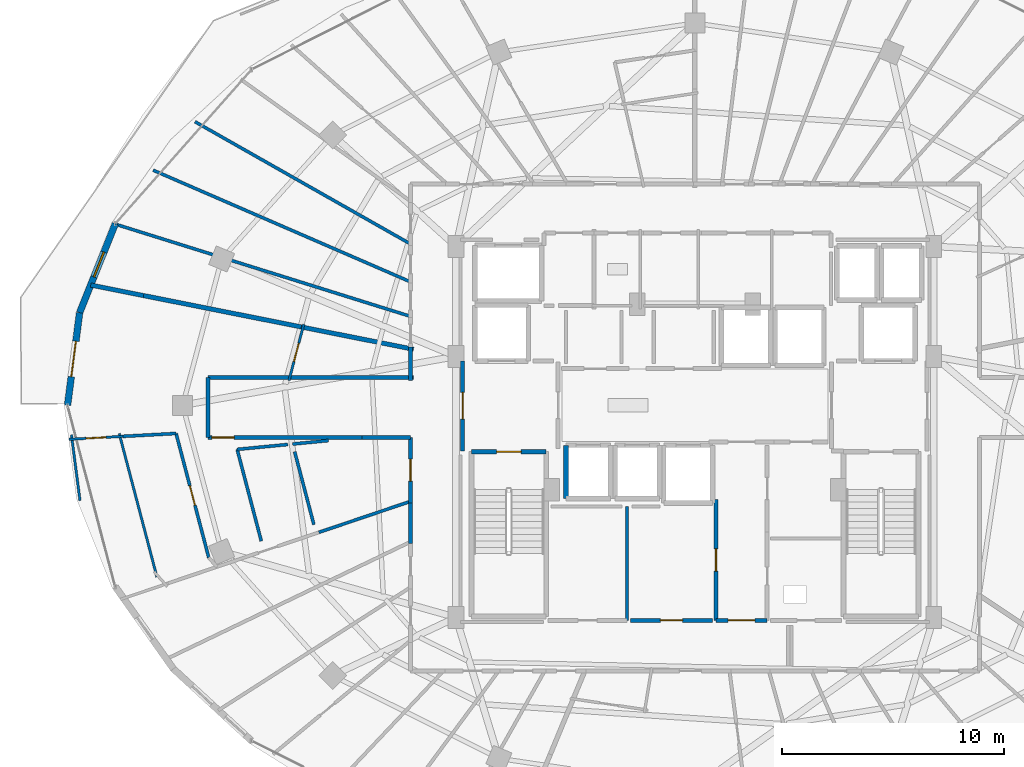
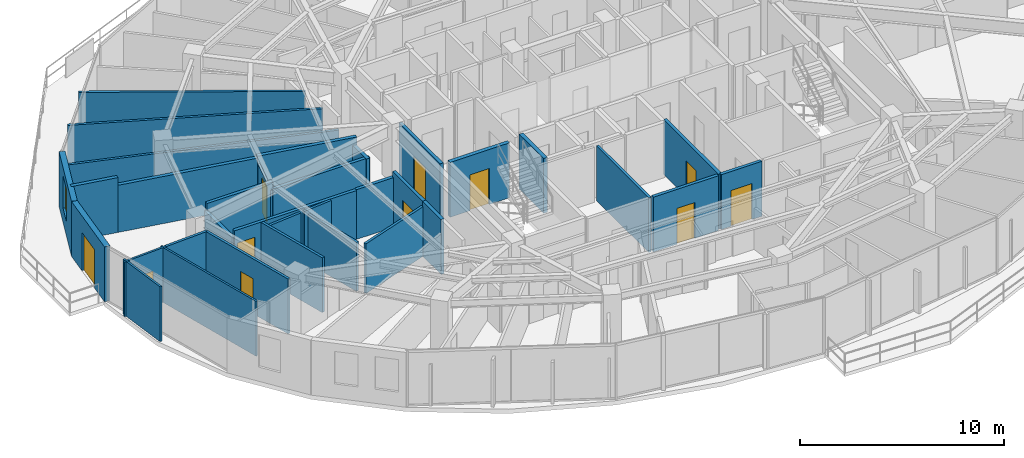
# One storey, part 25 of 34: 34 walls, 11 doors, 1 window, 12 openings.
"""IFC4 building model written with IfcOpenShell, lengths in metres."""

from ifc_helpers import new_model, si_unit, direction, frame, frame_2d, origin, place, context, subcontext, project, spatial, rectangle, extrude, material, layer, layer_set, type_object, element, fill, save


model = new_model("IFC4")

# Units and contexts
model_context = context("Model", 3, precision=1e-05, world=origin(), true_north=direction((0.0, 1.0)))
body_context = subcontext(model_context, "Body", "Model", "MODEL_VIEW")
ifc_project = project(units=[si_unit("LENGTHUNIT", "METRE"), si_unit("AREAUNIT", "SQUARE_METRE"), si_unit("VOLUMEUNIT", "CUBIC_METRE"), si_unit("PLANEANGLEUNIT", "RADIAN"), si_unit("MASSUNIT", "GRAM", prefix="KILO")], contexts=[model_context])

# Site, building, storey
site_placement = place(None, origin())
site = spatial("IfcSite", under=ifc_project, at=site_placement, CompositionType="ELEMENT")
building_placement = place(site_placement, origin())
building = spatial("IfcBuilding", under=site, at=building_placement, Name="Vorneva Point Tower", CompositionType="ELEMENT")
storey_placement = place(building_placement, frame((0.0, 0.0, 214.300048828125)))
storey = spatial("IfcBuildingStorey", under=building, at=storey_placement, Name="L58", CompositionType="ELEMENT", Elevation=214.300048828125)

# Wall, opening, window
ifc_material_1 = material(Name="Precast concrete B50 (C40/50)", Category="concrete")
ifc_layer_1 = layer(ifc_material_1, 0.300048828125)
ifc_layer_set_1 = layer_set([ifc_layer_1], Name="Precast concrete B50 (C40/50)")
wall_type_1 = type_object("IfcWallType", Name="WL-EXT-300", PredefinedType="STANDARD", material=ifc_layer_set_1)
wall_1_placement = place(storey_placement, frame((11.9189453125, 34.17041015625, 0.0), z_axis=(0.0, 0.0, 1.0), x_axis=(-0.372268409848, -0.928125116043, 0.0)))
wall_1 = element("IfcWall", 1, at=wall_1_placement, inside=storey, type_object=wall_type_1, Name="L58 Pale-Metal Facade Spandrel Wall 08.1", PredefinedType="STANDARD", context=body_context, shape_type="SweptSolid", body=[
    extrude(rectangle(XDim=4.315185546875, YDim=0.300048828125, at=frame_2d((2.15771484375, 0.0))), origin(), (0.0, 0.0, 1.0), 3.2900390625),
])
opening_1_placement = place(wall_1_placement, frame((1.38037109375, 0.0, 0.85009765625)))
opening_1 = element("IfcOpeningElement", 2, at=opening_1_placement, cuts=wall_1, Name="Opening W-04", PredefinedType="OPENING", context=body_context, shape_type="SweptSolid", body=[
    extrude(rectangle(XDim=1.199951171875, YDim=1.949951171875, at=frame_2d((0.60009765625, 0.97509765625))), frame((0.0, 0.1650390625, 0.0), z_axis=(0.0, -1.0, 0.0), x_axis=(1.0, 0.0, 0.0)), (0.0, 0.0, 1.0), 0.329833984375),
])
ifc_material_2 = material(Name="Double low-e laminated glass IGU", Category="glass")
window_type = type_object("IfcWindowType", Name="WN-RES-1200", PartitioningType="SINGLE_PANEL", PredefinedType="WINDOW", material=ifc_material_2)
window_placement = place(opening_1_placement, origin())
window = element("IfcWindow", 3, at=window_placement, inside=storey, type_object=window_type, Name="L58 Dwelling Vision Window 01", OverallHeight=1.949951171875, OverallWidth=1.199951171875, PartitioningType="SINGLE_PANEL", PredefinedType="WINDOW", context=body_context, shape_type="SweptSolid", body=[
    extrude(rectangle(XDim=1.199951171875, YDim=1.949951171875, at=frame_2d((0.60009765625, 0.97509765625))), frame((0.0, 0.030029296875, 0.0), z_axis=(0.0, -1.0, 0.0), x_axis=(1.0, 0.0, 0.0)), (0.0, 0.0, 1.0), 0.06005859375),
])
fill(opening_1, window)

# Wall, opening, door
wall_2_placement = place(storey_placement, frame((10.3125, 30.165283203125, 0.0), z_axis=(0.0, 0.0, 1.0), x_axis=(-0.129147853268, -0.991625348605, 0.0)))
wall_2 = element("IfcWall", 4, at=wall_2_placement, inside=storey, type_object=wall_type_1, Name="L58 Pale-Metal Facade Spandrel Wall 08.2", PredefinedType="STANDARD", context=body_context, shape_type="SweptSolid", body=[
    extrude(rectangle(XDim=4.200439453125, YDim=0.300048828125, at=frame_2d((2.10009765625, 0.0))), origin(), (0.0, 0.0, 1.0), 3.2900390625),
])
opening_2_placement = place(wall_2_placement, frame((1.30029296875, 0.0, 0.0)))
opening_2 = element("IfcOpeningElement", 5, at=opening_2_placement, cuts=wall_2, Name="Opening BD-01", PredefinedType="OPENING", context=body_context, shape_type="SweptSolid", body=[
    extrude(rectangle(XDim=1.60009765625, YDim=2.300048828125, at=frame_2d((0.800048828125, 1.14990234375))), frame((0.0, 0.1650390625, 0.0), z_axis=(0.0, -1.0, 0.0), x_axis=(1.0, 0.0, 0.0)), (0.0, 0.0, 1.0), 0.329833984375),
])
ifc_material_3 = material(Name="Pale anodised aluminium", Category="aluminium")
door_type_1 = type_object("IfcDoorType", Name="DR-BAL-1600", OperationType="SLIDING_TO_LEFT", PredefinedType="DOOR", material=ifc_material_3)
door_1_placement = place(opening_2_placement, origin())
door_1 = element("IfcDoor", 6, at=door_1_placement, inside=storey, type_object=door_type_1, Name="L58 Balcony Terrace Access Door 08", OperationType="SLIDING_TO_LEFT", OverallHeight=2.300048828125, OverallWidth=1.60009765625, PredefinedType="DOOR", context=body_context, shape_type="SweptSolid", body=[
    extrude(rectangle(XDim=1.60009765625, YDim=2.300048828125, at=frame_2d((0.800048828125, 1.14990234375))), frame((0.0, 0.02490234375, 0.0), z_axis=(0.0, -1.0, 0.0), x_axis=(1.0, 0.0, 0.0)), (0.0, 0.0, 1.0), 0.050048828125),
])
fill(opening_2, door_1)

ifc_material_4 = material(Name="Fire-rated acoustic gypsum stud partition", Category="gypsum")
ifc_layer_2 = layer(ifc_material_4, 0.110107421875)
ifc_layer_set_2 = layer_set([ifc_layer_2], Name="Fire-rated acoustic gypsum stud partition")
wall_type_2 = type_object("IfcWallType", Name="WL-PART-110", PredefinedType="PARTITIONING", material=ifc_layer_set_2)
wall_3_placement = place(storey_placement, frame((19.7333984375, 27.114501953125, 0.0), z_axis=(0.0, 0.0, 1.0), x_axis=(0.254424362052, 0.967092676011, 0.0)))
wall_3 = element("IfcWall", 7, at=wall_3_placement, inside=storey, type_object=wall_type_2, Name="L58 Interior Partition 131", PredefinedType="PARTITIONING", context=body_context, shape_type="SweptSolid", body=[
    extrude(rectangle(XDim=2.61474609375, YDim=0.110107421875, at=frame_2d((1.307373046875, 0.0))), origin(), (0.0, 0.0, 1.0), 2.48193359375),
])
opening_3_placement = place(wall_3_placement, frame((0.88232421875, 0.0, 0.0)))
opening_3 = element("IfcOpeningElement", 8, at=opening_3_placement, cuts=wall_3, Name="Opening ID-02", PredefinedType="OPENING", context=body_context, shape_type="SweptSolid", body=[
    extrude(rectangle(XDim=0.85009765625, YDim=2.10009765625, at=frame_2d((0.425048828125, 1.050048828125))), frame((0.0, 0.06982421875, 0.0), z_axis=(0.0, -1.0, 0.0), x_axis=(1.0, 0.0, 0.0)), (0.0, 0.0, 1.0), 0.139892578125),
])
ifc_material_5 = material(Name="Engineered oak fire-rated door leaf", Category="wood")
door_type_2 = type_object("IfcDoorType", Name="DR-BATH-850", OperationType="NOTDEFINED", PredefinedType="DOOR", material=ifc_material_5)
door_2_placement = place(opening_3_placement, origin())
door_2 = element("IfcDoor", 9, at=door_2_placement, inside=storey, type_object=door_type_2, Name="L58 Door Living and Dining Room L58-03 / Bathroom L58-03", OperationType="SINGLE_SWING_LEFT", OverallHeight=2.10009765625, OverallWidth=0.85009765625, PredefinedType="DOOR", context=body_context, shape_type="SweptSolid", body=[
    extrude(rectangle(XDim=0.85009765625, YDim=2.10009765625, at=frame_2d((0.425048828125, 1.050048828125))), frame((0.0, 0.02490234375, 0.0), z_axis=(0.0, -1.0, 0.0), x_axis=(1.0, 0.0, 0.0)), (0.0, 0.0, 1.0), 0.050048828125),
])
fill(opening_3, door_2)

# Wall
wall_4_placement = place(storey_placement, frame((9.94384765625, 24.6728515625, 0.0), z_axis=(0.0, 0.0, 1.0), x_axis=(0.129053207858, -0.991637670493, 0.0)))
element("IfcWall", 10, at=wall_4_placement, inside=storey, type_object=wall_type_2, Name="L58 Interior Partition 132", PredefinedType="PARTITIONING", context=body_context, shape_type="SweptSolid", body=[
    extrude(rectangle(XDim=2.992919921875, YDim=0.110107421875, at=frame_2d((1.49658203125, 0.0))), origin(), (0.0, 0.0, 1.0), 3.2900390625),
])

# Wall, opening, door
wall_5_placement = place(storey_placement, frame((9.830078125, 24.46728515625, 0.0), z_axis=(0.0, 0.0, 1.0), x_axis=(0.998510664793, 0.054556872108, 0.0)))
wall_5 = element("IfcWall", 11, at=wall_5_placement, inside=storey, type_object=wall_type_2, Name="L58 Interior Partition 133", PredefinedType="PARTITIONING", context=body_context, shape_type="SweptSolid", body=[
    extrude(rectangle(XDim=2.443359375, YDim=0.110107421875, at=frame_2d((1.2216796875, 0.0))), origin(), (0.0, 0.0, 1.0), 3.2900390625),
])
opening_4_placement = place(wall_5_placement, frame((0.771484375, 0.0, 0.0)))
opening_4 = element("IfcOpeningElement", 12, at=opening_4_placement, cuts=wall_5, Name="Opening ID-01", PredefinedType="OPENING", context=body_context, shape_type="SweptSolid", body=[
    extrude(rectangle(XDim=0.89990234375, YDim=2.10009765625, at=frame_2d((0.449951171875, 1.050048828125))), frame((0.0, 0.06982421875, 0.0), z_axis=(0.0, -1.0, 0.0), x_axis=(1.0, 0.0, 0.0)), (0.0, 0.0, 1.0), 0.139892578125),
])
door_type_3 = type_object("IfcDoorType", Name="DR-ROOM-900", OperationType="NOTDEFINED", PredefinedType="DOOR", material=ifc_material_5)
door_3_placement = place(opening_4_placement, origin())
door_3 = element("IfcDoor", 13, at=door_3_placement, inside=storey, type_object=door_type_3, Name="L58 Door Living and Dining Room L58-03 / Kitchen L58-03", OperationType="SINGLE_SWING_LEFT", OverallHeight=2.10009765625, OverallWidth=0.89990234375, PredefinedType="DOOR", context=body_context, shape_type="SweptSolid", body=[
    extrude(rectangle(XDim=0.89990234375, YDim=2.10009765625, at=frame_2d((0.449951171875, 1.050048828125))), frame((0.0, 0.02490234375, 0.0), z_axis=(0.0, -1.0, 0.0), x_axis=(1.0, 0.0, 0.0)), (0.0, 0.0, 1.0), 0.050048828125),
])
fill(opening_4, door_3)

# Walls
wall_6_placement = place(storey_placement, frame((13.79248046875, 18.2705078125, 0.0), z_axis=(0.0, 0.0, 1.0), x_axis=(-0.254286331735, 0.967128978727, 0.0)))
element("IfcWall", 14, at=wall_6_placement, inside=storey, type_object=wall_type_2, Name="L58 Interior Partition 140", PredefinedType="PARTITIONING", context=body_context, shape_type="SweptSolid", body=[
    extrude(rectangle(XDim=6.677490234375, YDim=0.110107421875, at=frame_2d((3.3388671875, 0.0))), origin(), (0.0, 0.0, 1.0), 3.2900390625),
])
ifc_layer_3 = layer(ifc_material_4, 0.139892578125)
ifc_layer_set_3 = layer_set([ifc_layer_3], Name="Fire-rated acoustic gypsum stud partition")
wall_type_3 = type_object("IfcWallType", Name="WL-PART-140", PredefinedType="PARTITIONING", material=ifc_layer_set_3)
wall_7_placement = place(storey_placement, frame((34.949951171875, 16.320068359375, 0.0), z_axis=(0.0, 0.0, 1.0), x_axis=(0.0, 1.0, 0.0)))
element("IfcWall", 15, at=wall_7_placement, inside=storey, type_object=wall_type_3, Name="L58 Interior Partition 031", PredefinedType="PARTITIONING", context=body_context, shape_type="SweptSolid", body=[
    extrude(rectangle(XDim=5.1298828125, YDim=0.139892578125, at=frame_2d((2.56494140625, 0.0))), origin(), (0.0, 0.0, 1.0), 3.2900390625),
])
wall_8_placement = place(storey_placement, frame((15.5048828125, 38.758056640625, 0.0), z_axis=(0.0, 0.0, 1.0), x_axis=(0.86982387552, -0.49336236741, 0.0)))
element("IfcWall", 16, at=wall_8_placement, inside=storey, type_object=wall_type_3, Name="L58 Interior Partition 123", PredefinedType="PARTITIONING", context=body_context, shape_type="SweptSolid", body=[
    extrude(rectangle(XDim=11.14599609375, YDim=0.139892578125, at=frame_2d((5.572998046875, 0.0))), origin(), (0.0, 0.0, 1.0), 2.823974609375),
])
wall_9_placement = place(storey_placement, frame((13.6220703125, 36.577880859375, 0.0), z_axis=(0.0, 0.0, 1.0), x_axis=(0.917357672996, -0.398063939331, 0.0)))
element("IfcWall", 17, at=wall_9_placement, inside=storey, type_object=wall_type_3, Name="L58 Interior Partition 124", PredefinedType="PARTITIONING", context=body_context, shape_type="SweptSolid", body=[
    extrude(rectangle(XDim=12.620849609375, YDim=0.139892578125, at=frame_2d((6.310546875, 0.0))), origin(), (0.0, 0.0, 1.0), 2.823974609375),
])
wall_10_placement = place(storey_placement, frame((11.910888671875, 34.152099609375, 0.0), z_axis=(0.0, 0.0, 1.0), x_axis=(0.954494953812, -0.298227066422, 0.0)))
element("IfcWall", 18, at=wall_10_placement, inside=storey, type_object=wall_type_3, Name="L58 Interior Partition 125", PredefinedType="PARTITIONING", context=body_context, shape_type="SweptSolid", body=[
    extrude(rectangle(XDim=13.922607421875, YDim=0.139892578125, at=frame_2d((6.96142578125, 0.0))), origin(), (0.0, 0.0, 1.0), 2.48193359375),
])
wall_11_placement = place(storey_placement, frame((19.89892578125, 24.2548828125, 0.0), z_axis=(0.0, 0.0, 1.0), x_axis=(0.995395189956, 0.095856224692, 0.0)))
element("IfcWall", 19, at=wall_11_placement, inside=storey, type_object=wall_type_3, Name="L58 Interior Partition 129", PredefinedType="PARTITIONING", context=body_context, shape_type="SweptSolid", body=[
    extrude(rectangle(XDim=1.617431640625, YDim=0.139892578125, at=frame_2d((0.80859375, 0.0))), origin(), (0.0, 0.0, 1.0), 2.93603515625),
])
wall_12_placement = place(storey_placement, frame((21.0791015625, 20.281005859375, 0.0), z_axis=(0.0, 0.0, 1.0), x_axis=(0.947333376301, 0.320249081413, 0.0)))
element("IfcWall", 20, at=wall_12_placement, inside=storey, type_object=wall_type_3, Name="L58 Interior Partition 130", PredefinedType="PARTITIONING", context=body_context, shape_type="SweptSolid", body=[
    extrude(rectangle(XDim=4.349853515625, YDim=0.139892578125, at=frame_2d((2.1748046875, 0.0))), origin(), (0.0, 0.0, 1.0), 2.97900390625),
])
wall_13_placement = place(storey_placement, frame((12.269775390625, 24.6005859375, 0.0), z_axis=(0.0, 0.0, 1.0), x_axis=(0.998530633022, 0.054190173613, 0.0)))
element("IfcWall", 21, at=wall_13_placement, inside=storey, type_object=wall_type_3, Name="L58 Interior Partition 134", PredefinedType="PARTITIONING", context=body_context, shape_type="SweptSolid", body=[
    extrude(rectangle(XDim=2.3876953125, YDim=0.139892578125, at=frame_2d((1.19384765625, 0.0))), origin(), (0.0, 0.0, 1.0), 3.2900390625),
])

# Wall, opening, door
wall_14_placement = place(storey_placement, frame((14.654052734375, 24.72998046875, 0.0), z_axis=(0.0, 0.0, 1.0), x_axis=(0.254457911505, -0.967083849143, 0.0)))
wall_14 = element("IfcWall", 22, at=wall_14_placement, inside=storey, type_object=wall_type_3, Name="L58 Interior Partition 135", PredefinedType="PARTITIONING", context=body_context, shape_type="SweptSolid", body=[
    extrude(rectangle(XDim=5.77294921875, YDim=0.139892578125, at=frame_2d((2.886474609375, 0.0))), origin(), (0.0, 0.0, 1.0), 3.2900390625),
])
opening_5_placement = place(wall_14_placement, frame((2.4365234375, 0.0, 0.0)))
opening_5 = element("IfcOpeningElement", 23, at=opening_5_placement, cuts=wall_14, Name="Opening ID-01", PredefinedType="OPENING", context=body_context, shape_type="SweptSolid", body=[
    extrude(rectangle(XDim=0.89990234375, YDim=2.10009765625, at=frame_2d((0.449951171875, 1.050048828125))), frame((0.0, 0.0849609375, 0.0), z_axis=(0.0, -1.0, 0.0), x_axis=(1.0, 0.0, 0.0)), (0.0, 0.0, 1.0), 0.169677734375),
])
door_4_placement = place(opening_5_placement, origin())
door_4 = element("IfcDoor", 24, at=door_4_placement, inside=storey, type_object=door_type_3, Name="L58 Door Living and Dining Room L58-03 / Study Room L58-03", OperationType="SINGLE_SWING_RIGHT", OverallHeight=2.10009765625, OverallWidth=0.89990234375, PredefinedType="DOOR", context=body_context, shape_type="SweptSolid", body=[
    extrude(rectangle(XDim=0.89990234375, YDim=2.10009765625, at=frame_2d((0.449951171875, 1.050048828125))), frame((0.0, 0.02490234375, 0.0), z_axis=(0.0, -1.0, 0.0), x_axis=(1.0, 0.0, 0.0)), (0.0, 0.0, 1.0), 0.050048828125),
])
fill(opening_5, door_4)

# Walls
wall_15_placement = place(storey_placement, frame((18.488037109375, 19.887939453125, 0.0), z_axis=(0.0, 0.0, 1.0), x_axis=(-0.254527099131, 0.967065641933, 0.0)))
element("IfcWall", 25, at=wall_15_placement, inside=storey, type_object=wall_type_3, Name="L58 Interior Closure Partition 193", PredefinedType="PARTITIONING", context=body_context, shape_type="SweptSolid", body=[
    extrude(rectangle(XDim=4.2666015625, YDim=0.139892578125, at=frame_2d((2.13330078125, 0.0))), origin(), (0.0, 0.0, 1.0), 3.2900390625),
])
wall_16_placement = place(storey_placement, frame((17.402099609375, 24.013916015625, 0.0), z_axis=(0.0, 0.0, 1.0), x_axis=(0.99536946046, 0.096123031498, 0.0)))
element("IfcWall", 26, at=wall_16_placement, inside=storey, type_object=wall_type_3, Name="L58 Interior Closure Partition 194", PredefinedType="PARTITIONING", context=body_context, shape_type="SweptSolid", body=[
    extrude(rectangle(XDim=2.288330078125, YDim=0.139892578125, at=frame_2d((1.14404296875, 0.0))), origin(), (0.0, 0.0, 1.0), 2.93603515625),
])
wall_17_placement = place(storey_placement, frame((19.989990234375, 23.907958984375, 0.0), z_axis=(0.0, 0.0, 1.0), x_axis=(0.25452874074, -0.967065209868, 0.0)))
element("IfcWall", 27, at=wall_17_placement, inside=storey, type_object=wall_type_3, Name="L58 Interior Closure Partition 195", PredefinedType="PARTITIONING", context=body_context, shape_type="SweptSolid", body=[
    extrude(rectangle(XDim=3.390625, YDim=0.139892578125, at=frame_2d((1.6953125, 0.0))), origin(), (0.0, 0.0, 1.0), 2.93603515625),
])

# Wall, opening, door
ifc_material_6 = material(Name="Autoclaved aerated concrete blockwork", Category="masonry")
ifc_layer_4 = layer(ifc_material_6, 0.179931640625)
ifc_layer_set_4 = layer_set([ifc_layer_4], Name="Autoclaved aerated concrete blockwork")
wall_type_4 = type_object("IfcWallType", Name="WL-PART-180", PredefinedType="PARTITIONING", material=ifc_layer_set_4)
wall_18_placement = place(storey_placement, frame((27.550048828125, 28.0, 0.0), z_axis=(0.0, 0.0, 1.0), x_axis=(0.0, -1.0, 0.0)))
wall_18 = element("IfcWall", 28, at=wall_18_placement, inside=storey, type_object=wall_type_4, Name="L58 Interior Partition 002", PredefinedType="PARTITIONING", context=body_context, shape_type="SweptSolid", body=[
    extrude(rectangle(XDim=4.050048828125, YDim=0.179931640625, at=frame_2d((2.02490234375, 0.0))), origin(), (0.0, 0.0, 1.0), 3.2900390625),
])
opening_6_placement = place(wall_18_placement, frame((1.425048828125, 0.0, 0.0)))
opening_6 = element("IfcOpeningElement", 29, at=opening_6_placement, cuts=wall_18, Name="Opening FD-02", PredefinedType="OPENING", context=body_context, shape_type="SweptSolid", body=[
    extrude(rectangle(XDim=1.199951171875, YDim=2.14990234375, at=frame_2d((0.60009765625, 1.074951171875))), frame((0.0, 0.10498046875, 0.0), z_axis=(0.0, -1.0, 0.0), x_axis=(1.0, 0.0, 0.0)), (0.0, 0.0, 1.0), 0.209716796875),
])
ifc_material_7 = material(Name="Fire-rated powder-coated steel", Category="steel")
door_type_4 = type_object("IfcDoorType", Name="DR-FFL-1200", OperationType="NOTDEFINED", PredefinedType="DOOR", material=ifc_material_7)
door_5_placement = place(opening_6_placement, origin())
door_5 = element("IfcDoor", 30, at=door_5_placement, inside=storey, type_object=door_type_4, Name="L58 Door West Firefighting Lobby / L58 Circulation Corridor", OperationType="SINGLE_SWING_RIGHT", OverallHeight=2.14990234375, OverallWidth=1.199951171875, PredefinedType="DOOR", context=body_context, shape_type="SweptSolid", body=[
    extrude(rectangle(XDim=1.199951171875, YDim=2.14990234375, at=frame_2d((0.60009765625, 1.074951171875))), frame((0.0, 0.02490234375, 0.0), z_axis=(0.0, -1.0, 0.0), x_axis=(1.0, 0.0, 0.0)), (0.0, 0.0, 1.0), 0.050048828125),
])
fill(opening_6, door_5)

wall_19_placement = place(storey_placement, frame((38.949951171875, 21.7548828125, 0.0), z_axis=(0.0, 0.0, 1.0), x_axis=(0.0, -1.0, 0.0)))
wall_19 = element("IfcWall", 31, at=wall_19_placement, inside=storey, type_object=wall_type_4, Name="L58 Interior Partition 016", PredefinedType="PARTITIONING", context=body_context, shape_type="SweptSolid", body=[
    extrude(rectangle(XDim=5.434814453125, YDim=0.179931640625, at=frame_2d((2.71728515625, 0.0))), origin(), (0.0, 0.0, 1.0), 3.2900390625),
])
opening_7_placement = place(wall_19_placement, frame((2.217529296875, 0.0, 0.0)))
opening_7 = element("IfcOpeningElement", 32, at=opening_7_placement, cuts=wall_19, Name="Opening UD-01", PredefinedType="OPENING", context=body_context, shape_type="SweptSolid", body=[
    extrude(rectangle(XDim=1.0, YDim=2.14990234375, at=frame_2d((0.5, 1.074951171875))), frame((0.0, 0.10498046875, 0.0), z_axis=(0.0, -1.0, 0.0), x_axis=(1.0, 0.0, 0.0)), (0.0, 0.0, 1.0), 0.209716796875),
])
door_type_5 = type_object("IfcDoorType", Name="DR-UNIT-1000", OperationType="NOTDEFINED", PredefinedType="DOOR", material=ifc_material_5)
door_6_placement = place(opening_7_placement, origin())
door_6 = element("IfcDoor", 33, at=door_6_placement, inside=storey, type_object=door_type_5, Name="L58 Door Core Service Lobby / Staff Service Pantry", OperationType="SINGLE_SWING_RIGHT", OverallHeight=2.14990234375, OverallWidth=1.0, PredefinedType="DOOR", context=body_context, shape_type="SweptSolid", body=[
    extrude(rectangle(XDim=1.0, YDim=2.14990234375, at=frame_2d((0.5, 1.074951171875))), frame((0.0, 0.02490234375, 0.0), z_axis=(0.0, -1.0, 0.0), x_axis=(1.0, 0.0, 0.0)), (0.0, 0.0, 1.0), 0.050048828125),
])
fill(opening_7, door_6)

wall_20_placement = place(storey_placement, frame((38.949951171875, 16.320068359375, 0.0), z_axis=(0.0, 0.0, 1.0), x_axis=(1.0, 0.0, 0.0)))
wall_20 = element("IfcWall", 34, at=wall_20_placement, inside=storey, type_object=wall_type_4, Name="L58 Interior Partition 017", PredefinedType="PARTITIONING", context=body_context, shape_type="SweptSolid", body=[
    extrude(rectangle(XDim=2.300048828125, YDim=0.179931640625, at=frame_2d((1.14990234375, 0.0))), origin(), (0.0, 0.0, 1.0), 3.2900390625),
])
opening_8_placement = place(wall_20_placement, frame((0.550048828125, 0.0, 0.0)))
opening_8 = element("IfcOpeningElement", 35, at=opening_8_placement, cuts=wall_20, Name="Opening FD-02", PredefinedType="OPENING", context=body_context, shape_type="SweptSolid", body=[
    extrude(rectangle(XDim=1.199951171875, YDim=2.14990234375, at=frame_2d((0.60009765625, 1.074951171875))), frame((0.0, 0.10498046875, 0.0), z_axis=(0.0, -1.0, 0.0), x_axis=(1.0, 0.0, 0.0)), (0.0, 0.0, 1.0), 0.209716796875),
])
door_7_placement = place(opening_8_placement, origin())
door_7 = element("IfcDoor", 36, at=door_7_placement, inside=storey, type_object=door_type_4, Name="L58 Door Core Service Lobby / L58 Circulation Corridor", OperationType="SINGLE_SWING_LEFT", OverallHeight=2.14990234375, OverallWidth=1.199951171875, PredefinedType="DOOR", context=body_context, shape_type="SweptSolid", body=[
    extrude(rectangle(XDim=1.199951171875, YDim=2.14990234375, at=frame_2d((0.60009765625, 1.074951171875))), frame((0.0, 0.02490234375, 0.0), z_axis=(0.0, -1.0, 0.0), x_axis=(1.0, 0.0, 0.0)), (0.0, 0.0, 1.0), 0.050048828125),
])
fill(opening_8, door_7)

wall_21_placement = place(storey_placement, frame((35.10009765625, 16.320068359375, 0.0), z_axis=(0.0, 0.0, 1.0), x_axis=(1.0, 0.0, 0.0)))
wall_21 = element("IfcWall", 37, at=wall_21_placement, inside=storey, type_object=wall_type_4, Name="L58 Interior Partition 033", PredefinedType="PARTITIONING", context=body_context, shape_type="SweptSolid", body=[
    extrude(rectangle(XDim=3.699951171875, YDim=0.179931640625, at=frame_2d((1.85009765625, 0.0))), origin(), (0.0, 0.0, 1.0), 3.2900390625),
])
opening_9_placement = place(wall_21_placement, frame((1.35009765625, 0.0, 0.0)))
opening_9 = element("IfcOpeningElement", 38, at=opening_9_placement, cuts=wall_21, Name="Opening UD-01", PredefinedType="OPENING", context=body_context, shape_type="SweptSolid", body=[
    extrude(rectangle(XDim=1.0, YDim=2.14990234375, at=frame_2d((0.5, 1.074951171875))), frame((0.0, 0.10498046875, 0.0), z_axis=(0.0, -1.0, 0.0), x_axis=(1.0, 0.0, 0.0)), (0.0, 0.0, 1.0), 0.209716796875),
])
door_8_placement = place(opening_9_placement, origin())
door_8 = element("IfcDoor", 39, at=door_8_placement, inside=storey, type_object=door_type_5, Name="L58 Door Staff Service Pantry / L58 Circulation Corridor", OperationType="SINGLE_SWING_RIGHT", OverallHeight=2.14990234375, OverallWidth=1.0, PredefinedType="DOOR", context=body_context, shape_type="SweptSolid", body=[
    extrude(rectangle(XDim=1.0, YDim=2.14990234375, at=frame_2d((0.5, 1.074951171875))), frame((0.0, 0.02490234375, 0.0), z_axis=(0.0, -1.0, 0.0), x_axis=(1.0, 0.0, 0.0)), (0.0, 0.0, 1.0), 0.050048828125),
])
fill(opening_9, door_8)

# Wall
wall_22_placement = place(storey_placement, frame((16.10009765625, 27.25, 0.0), z_axis=(0.0, 0.0, 1.0), x_axis=(0.0, -1.0, 0.0)))
element("IfcWall", 40, at=wall_22_placement, inside=storey, type_object=wall_type_4, Name="L58 Interior Partition 055", PredefinedType="PARTITIONING", context=body_context, shape_type="SweptSolid", body=[
    extrude(rectangle(XDim=2.699951171875, YDim=0.179931640625, at=frame_2d((1.35009765625, 0.0))), origin(), (0.0, 0.0, 1.0), 2.48193359375),
])

# Wall, opening, door
wall_23_placement = place(storey_placement, frame((16.10009765625, 24.550048828125, 0.0), z_axis=(0.0, 0.0, 1.0), x_axis=(1.0, 0.0, 0.0)))
wall_23 = element("IfcWall", 41, at=wall_23_placement, inside=storey, type_object=wall_type_4, Name="L58 Interior Partition 056", PredefinedType="PARTITIONING", context=body_context, shape_type="SweptSolid", body=[
    extrude(rectangle(XDim=6.9228515625, YDim=0.179931640625, at=frame_2d((3.46142578125, 0.0))), origin(), (0.0, 0.0, 1.0), 2.93603515625),
])
opening_10_placement = place(wall_23_placement, frame((0.16162109375, 0.0, 0.0)))
opening_10 = element("IfcOpeningElement", 42, at=opening_10_placement, cuts=wall_23, Name="Opening UD-01", PredefinedType="OPENING", context=body_context, shape_type="SweptSolid", body=[
    extrude(rectangle(XDim=1.0, YDim=2.14990234375, at=frame_2d((0.5, 1.074951171875))), frame((0.0, 0.10498046875, 0.0), z_axis=(0.0, -1.0, 0.0), x_axis=(1.0, 0.0, 0.0)), (0.0, 0.0, 1.0), 0.209716796875),
])
door_9_placement = place(opening_10_placement, origin())
door_9 = element("IfcDoor", 43, at=door_9_placement, inside=storey, type_object=door_type_5, Name="L58 Door L58 Circulation Corridor / Living and Dining Room L58-03", OperationType="SINGLE_SWING_LEFT", OverallHeight=2.14990234375, OverallWidth=1.0, PredefinedType="DOOR", context=body_context, shape_type="SweptSolid", body=[
    extrude(rectangle(XDim=1.0, YDim=2.14990234375, at=frame_2d((0.5, 1.074951171875))), frame((0.0, 0.02490234375, 0.0), z_axis=(0.0, -1.0, 0.0), x_axis=(1.0, 0.0, 0.0)), (0.0, 0.0, 1.0), 0.050048828125),
])
fill(opening_10, door_9)

# Walls
wall_24_placement = place(storey_placement, frame((19.8310546875, 27.25, 0.0), z_axis=(0.0, 0.0, 1.0), x_axis=(-1.0, 0.0, 0.0)))
element("IfcWall", 44, at=wall_24_placement, inside=storey, type_object=wall_type_4, Name="L58 Interior Partition 057", PredefinedType="PARTITIONING", context=body_context, shape_type="SweptSolid", body=[
    extrude(rectangle(XDim=3.73095703125, YDim=0.179931640625, at=frame_2d((1.865478515625, 0.0))), origin(), (0.0, 0.0, 1.0), 2.93603515625),
])
wall_25_placement = place(storey_placement, frame((23.02294921875, 24.550048828125, 0.0), z_axis=(0.0, 0.0, 1.0), x_axis=(1.0, 0.0, 0.0)))
element("IfcWall", 45, at=wall_25_placement, inside=storey, type_object=wall_type_4, Name="L58 Interior Partition 058", PredefinedType="PARTITIONING", context=body_context, shape_type="SweptSolid", body=[
    extrude(rectangle(XDim=2.177001953125, YDim=0.179931640625, at=frame_2d((1.08837890625, 0.0))), origin(), (0.0, 0.0, 1.0), 2.97900390625),
])

# Wall, opening, door
wall_26_placement = place(storey_placement, frame((25.199951171875, 24.550048828125, 0.0), z_axis=(0.0, 0.0, 1.0), x_axis=(0.0, -1.0, 0.0)))
wall_26 = element("IfcWall", 46, at=wall_26_placement, inside=storey, type_object=wall_type_4, Name="L58 Interior Partition 059", PredefinedType="PARTITIONING", context=body_context, shape_type="SweptSolid", body=[
    extrude(rectangle(XDim=2.93896484375, YDim=0.179931640625, at=frame_2d((1.469482421875, 0.0))), origin(), (0.0, 0.0, 1.0), 3.2900390625),
])
opening_11_placement = place(wall_26_placement, frame((0.969482421875, 0.0, 0.0)))
opening_11 = element("IfcOpeningElement", 47, at=opening_11_placement, cuts=wall_26, Name="Opening UD-01", PredefinedType="OPENING", context=body_context, shape_type="SweptSolid", body=[
    extrude(rectangle(XDim=1.0, YDim=2.14990234375, at=frame_2d((0.5, 1.074951171875))), frame((0.0, 0.10498046875, 0.0), z_axis=(0.0, -1.0, 0.0), x_axis=(1.0, 0.0, 0.0)), (0.0, 0.0, 1.0), 0.209716796875),
])
door_10_placement = place(opening_11_placement, origin())
door_10 = element("IfcDoor", 48, at=door_10_placement, inside=storey, type_object=door_type_5, Name="L58 Door L58 Circulation Corridor / Family Dining Room L58-03", OperationType="SINGLE_SWING_RIGHT", OverallHeight=2.14990234375, OverallWidth=1.0, PredefinedType="DOOR", context=body_context, shape_type="SweptSolid", body=[
    extrude(rectangle(XDim=1.0, YDim=2.14990234375, at=frame_2d((0.5, 1.074951171875))), frame((0.0, 0.02490234375, 0.0), z_axis=(0.0, -1.0, 0.0), x_axis=(1.0, 0.0, 0.0)), (0.0, 0.0, 1.0), 0.050048828125),
])
fill(opening_11, door_10)

# Walls
wall_27_placement = place(storey_placement, frame((25.199951171875, 28.6259765625, 0.0), z_axis=(0.0, 0.0, 1.0), x_axis=(0.0, -1.0, 0.0)))
element("IfcWall", 49, at=wall_27_placement, inside=storey, type_object=wall_type_4, Name="L58 Interior Partition 060", PredefinedType="PARTITIONING", context=body_context, shape_type="SweptSolid", body=[
    extrude(rectangle(XDim=1.515869140625, YDim=0.179931640625, at=frame_2d((0.7578125, 0.0))), origin(), (0.0, 0.0, 1.0), 2.48193359375),
])
wall_28_placement = place(storey_placement, frame((25.340087890625, 27.25, 0.0), z_axis=(0.0, 0.0, 1.0), x_axis=(-1.0, 0.0, 0.0)))
element("IfcWall", 50, at=wall_28_placement, inside=storey, type_object=wall_type_4, Name="L58 Interior Partition 061", PredefinedType="PARTITIONING", context=body_context, shape_type="SweptSolid", body=[
    extrude(rectangle(XDim=5.649169921875, YDim=0.179931640625, at=frame_2d((2.82470703125, 0.0))), origin(), (0.0, 0.0, 1.0), 2.48193359375),
])
wall_29_placement = place(storey_placement, frame((25.199951171875, 21.611083984375, 0.0), z_axis=(0.0, 0.0, 1.0), x_axis=(0.0, -1.0, 0.0)))
element("IfcWall", 51, at=wall_29_placement, inside=storey, type_object=wall_type_4, Name="L58 Interior Partition 062", PredefinedType="PARTITIONING", context=body_context, shape_type="SweptSolid", body=[
    extrude(rectangle(XDim=1.823974609375, YDim=0.179931640625, at=frame_2d((0.912109375, 0.0))), origin(), (0.0, 0.0, 1.0), 3.2900390625),
])
ifc_layer_5 = layer(ifc_material_6, 0.199951171875)
ifc_layer_set_5 = layer_set([ifc_layer_5], Name="Autoclaved aerated concrete blockwork")
wall_type_5 = type_object("IfcWallType", Name="WL-PART-200", PredefinedType="PARTITIONING", material=ifc_layer_set_5)
wall_30_placement = place(storey_placement, frame((10.81298828125, 31.407958984375, 0.0), z_axis=(0.0, 0.0, 1.0), x_axis=(0.980808893275, -0.194971574527, 0.0)))
element("IfcWall", 52, at=wall_30_placement, inside=storey, type_object=wall_type_5, Name="L58 Interior Partition 126", PredefinedType="PARTITIONING", context=body_context, shape_type="SweptSolid", body=[
    extrude(rectangle(XDim=2.42041015625, YDim=0.199951171875, at=frame_2d((1.210205078125, 0.0))), origin(), (0.0, 0.0, 1.0), 3.2900390625),
])
wall_31_placement = place(storey_placement, frame((13.18701171875, 30.93603515625, 0.0), z_axis=(0.0, 0.0, 1.0), x_axis=(0.980790143568, -0.195065871645, 0.0)))
element("IfcWall", 53, at=wall_31_placement, inside=storey, type_object=wall_type_5, Name="L58 Interior Partition 127", PredefinedType="PARTITIONING", context=body_context, shape_type="SweptSolid", body=[
    extrude(rectangle(XDim=7.376708984375, YDim=0.199951171875, at=frame_2d((3.6884765625, 0.0))), origin(), (0.0, 0.0, 1.0), 2.823974609375),
])
wall_32_placement = place(storey_placement, frame((20.28466796875, 29.52392578125, 0.0), z_axis=(0.0, 0.0, 1.0), x_axis=(0.980782472544, -0.195104437547, 0.0)))
element("IfcWall", 54, at=wall_32_placement, inside=storey, type_object=wall_type_5, Name="L58 Interior Partition 128", PredefinedType="PARTITIONING", context=body_context, shape_type="SweptSolid", body=[
    extrude(rectangle(XDim=5.15185546875, YDim=0.199951171875, at=frame_2d((2.575927734375, 0.0))), origin(), (0.0, 0.0, 1.0), 2.93603515625),
])

# Wall, opening, door
ifc_material_8 = material(Name="Concrete B50 (C40/50)", Category="concrete")
ifc_layer_6 = layer(ifc_material_8, 0.219970703125)
ifc_layer_set_6 = layer_set([ifc_layer_6], Name="Concrete B50 (C40/50)")
wall_type_6 = type_object("IfcWallType", Name="WL-SHFT-220", PredefinedType="SOLIDWALL", material=ifc_layer_set_6)
wall_33_placement = place(storey_placement, frame((27.93994140625, 23.909912109375, 0.0), z_axis=(0.0, 0.0, 1.0), x_axis=(1.0, 0.0, 0.0)))
wall_33 = element("IfcWall", 55, at=wall_33_placement, inside=storey, type_object=wall_type_6, Name="L58 Exit Stair ST1 Shaft Wall near", PredefinedType="SOLIDWALL", context=body_context, shape_type="SweptSolid", body=[
    extrude(rectangle(XDim=3.3701171875, YDim=0.219970703125, at=frame_2d((1.68505859375, 0.0))), origin(), (0.0, 0.0, 1.0), 3.2900390625),
])
opening_12_placement = place(wall_33_placement, frame((1.135009765625, 0.0, 0.0)))
opening_12 = element("IfcOpeningElement", 56, at=opening_12_placement, cuts=wall_33, Name="Opening FD-01", PredefinedType="OPENING", context=body_context, shape_type="SweptSolid", body=[
    extrude(rectangle(XDim=1.10009765625, YDim=2.14990234375, at=frame_2d((0.550048828125, 1.074951171875))), frame((0.0, 0.125, 0.0), z_axis=(0.0, -1.0, 0.0), x_axis=(1.0, 0.0, 0.0)), (0.0, 0.0, 1.0), 0.249755859375),
])
door_type_6 = type_object("IfcDoorType", Name="DR-STAIR-1100", OperationType="NOTDEFINED", PredefinedType="DOOR", material=ifc_material_7)
door_11_placement = place(opening_12_placement, origin())
door_11 = element("IfcDoor", 57, at=door_11_placement, inside=storey, type_object=door_type_6, Name="L58 Exit Stair ST1 Fire Door", OperationType="SINGLE_SWING_RIGHT", OverallHeight=2.14990234375, OverallWidth=1.10009765625, PredefinedType="DOOR", context=body_context, shape_type="SweptSolid", body=[
    extrude(rectangle(XDim=1.10009765625, YDim=2.14990234375, at=frame_2d((0.550048828125, 1.074951171875))), frame((0.0, 0.02490234375, 0.0), z_axis=(0.0, -1.0, 0.0), x_axis=(1.0, 0.0, 0.0)), (0.0, 0.0, 1.0), 0.050048828125),
])
fill(opening_12, door_11)

# Wall
wall_34_placement = place(storey_placement, frame((32.199951171875, 24.199951171875, 0.0), z_axis=(0.0, 0.0, 1.0), x_axis=(0.0, -1.0, 0.0)))
element("IfcWall", 58, at=wall_34_placement, inside=storey, type_object=wall_type_6, Name="L58 Lift PL4 Shaft Wall -X", PredefinedType="SOLIDWALL", context=body_context, shape_type="SweptSolid", body=[
    extrude(rectangle(XDim=2.39990234375, YDim=0.219970703125, at=frame_2d((1.199951171875, 0.0))), origin(), (0.0, 0.0, 1.0), 3.2900390625),
])

save(model, "model.ifc")
